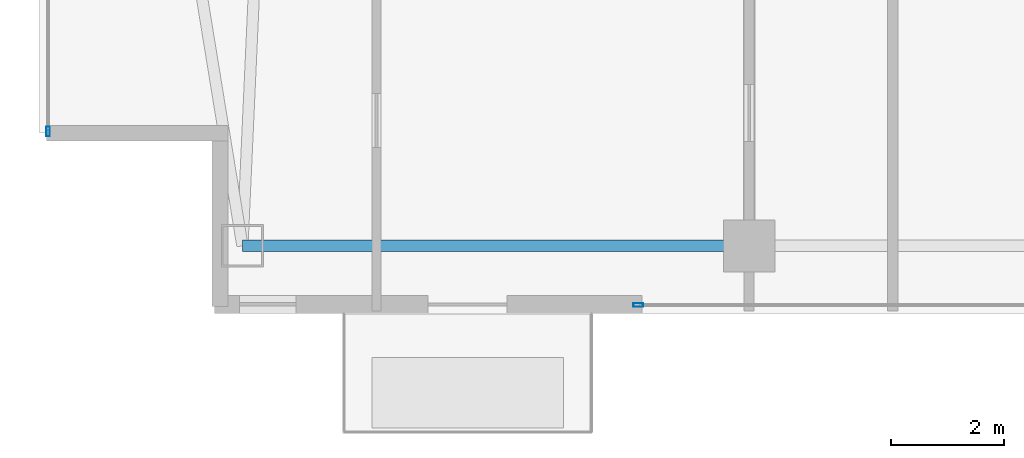
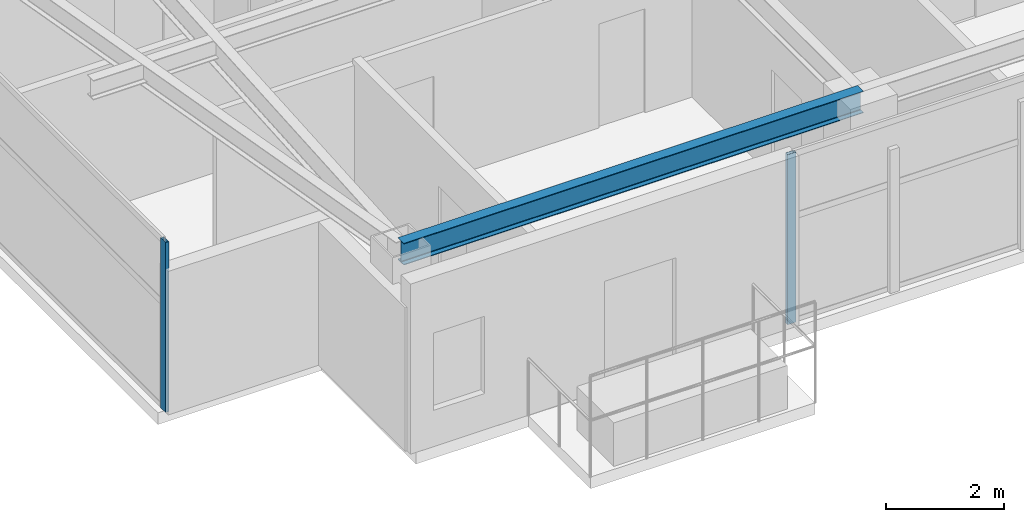
# One storey, part 2 of 27: 2 members, 1 beam, 2 elements without a shape of their own.
"""IFC4 building model written with IfcOpenShell, lengths in metres."""

from ifc_helpers import new_model, si_unit, direction, frame, origin, origin_2d, place, context, subcontext, project, spatial, hollow_rectangle, i_section, extrude, material, layer, layer_set, material_profile, profile_set, type_object, element, aggregate, save


model = new_model("IFC4")

# Units and contexts
model_context = context("Model", 3, precision=1e-05, world=origin(), true_north=direction((0.0, 1.0)))
body_context = subcontext(model_context, "Body", "Model", "MODEL_VIEW")
ifc_project = project(units=[si_unit("LENGTHUNIT", "METRE"), si_unit("AREAUNIT", "SQUARE_METRE"), si_unit("VOLUMEUNIT", "CUBIC_METRE"), si_unit("PLANEANGLEUNIT", "RADIAN"), si_unit("MASSUNIT", "GRAM", prefix="KILO")], contexts=[model_context])

# Site, building, storey
site_placement = place(None, origin())
site = spatial("IfcSite", under=ifc_project, at=site_placement, CompositionType="ELEMENT")
building_placement = place(site_placement, origin())
building = spatial("IfcBuilding", under=site, at=building_placement, Name="Calvorn Quay Hotel", CompositionType="ELEMENT")
storey_placement = place(building_placement, frame((0.0, 0.0, 278.699951171875)))
storey = spatial("IfcBuildingStorey", under=building, at=storey_placement, Name="L69", CompositionType="ELEMENT", Elevation=278.699951171875)

# Beam
ifc_material_1 = material(Name="Steel Q355B", Category="steel")
ifc_material_profile_1 = material_profile(ifc_material_1, i_section(OverallWidth=0.199951171875, OverallDepth=0.449951171875, WebThickness=0.009033203125, FlangeThickness=0.013916015625, FilletRadius=0.01611328125, at=origin_2d()), Name="HN450x200x9x14")
ifc_profile_set_1 = profile_set([ifc_material_profile_1], Name="Steel Q355B")
beam_type = type_object("IfcBeamType", Name="BM-SPANDREL-Z3", PredefinedType="SPANDREL", material=ifc_profile_set_1)
beam_placement = place(storey_placement, frame((3.60009765625, 3.60009765625, 3.295166015625), z_axis=(1.0, 0.0, 0.0), x_axis=(0.0, 1.0, 0.0)))
element("IfcBeam", 1, at=beam_placement, inside=storey, type_object=beam_type, Name="Beam BSP-L69-S1", PredefinedType="SPANDREL", context=body_context, shape_type="SweptSolid", body=[
    extrude(i_section(OverallWidth=0.199951171875, OverallDepth=0.449951171875, WebThickness=0.009033203125, FlangeThickness=0.013916015625, FilletRadius=0.01611328125, at=origin_2d()), origin(), (0.0, 0.0, 1.0), 9.0),
])

# Curtain wall, member
ifc_material_2 = material(Name="Champagne Bronze Anodised Aluminium and Low-E Glass", Category="aluminium")
ifc_layer = layer(ifc_material_2, 0.219970703125)
ifc_layer_set = layer_set([ifc_layer], Name="CW-SYS-Z4")
curtain_wall_type = type_object("IfcCurtainWallType", Name="CW-SYS-Z4", PredefinedType="NOTDEFINED", material=ifc_layer_set)
curtain_wall_1_placement = place(storey_placement, origin())
curtain_wall_1 = element("IfcCurtainWall", 2, at=curtain_wall_1_placement, inside=storey, type_object=curtain_wall_type, Name="Tower West Curtain Wall (L69)", PredefinedType="NOTDEFINED")
ifc_material_3 = material(Name="Champagne Bronze Anodised Aluminium 6063-T6", Category="aluminium")
ifc_material_profile_2 = material_profile(ifc_material_3, hollow_rectangle(XDim=0.06494140625, YDim=0.169921875, WallThickness=0.00341796875, at=origin_2d()), Name="ALU-M170x65x3.5")
ifc_profile_set_2 = profile_set([ifc_material_profile_2], Name="Champagne Bronze Anodised Aluminium 6063-T6")
member_type = type_object("IfcMemberType", Name="CW-SYS-Z4-MUL", PredefinedType="MULLION", material=ifc_profile_set_2)
member_1_placement = place(storey_placement, frame((0.14990234375, 5.6298828125, 0.0), z_axis=(0.0, 0.0, 1.0), x_axis=(-1.0, 0.0, 0.0)))
member_1 = element("IfcMember", 3, at=member_1_placement, type_object=member_type, Name="CW-L69-W mullion 1", PredefinedType="MULLION", context=body_context, shape_type="SweptSolid", body=[
    extrude(hollow_rectangle(XDim=0.06494140625, YDim=0.169921875, WallThickness=0.00341796875, at=origin_2d()), origin(), (0.0, 0.0, 1.0), 3.52001953125),
])
aggregate(curtain_wall_1, [member_1])

curtain_wall_2_placement = place(storey_placement, origin())
curtain_wall_2 = element("IfcCurtainWall", 4, at=curtain_wall_2_placement, inside=storey, type_object=curtain_wall_type, Name="Tower South Waterfront Curtain Wall (L69)", PredefinedType="NOTDEFINED")
member_2_placement = place(storey_placement, frame((10.6298828125, 2.550048828125, 0.0), z_axis=(0.0, 0.0, 1.0), x_axis=(0.0, 1.0, 0.0)))
member_2 = element("IfcMember", 5, at=member_2_placement, type_object=member_type, Name="CW-L69-S mullion 1", PredefinedType="MULLION", context=body_context, shape_type="SweptSolid", body=[
    extrude(hollow_rectangle(XDim=0.06494140625, YDim=0.169921875, WallThickness=0.00341796875, at=origin_2d()), origin(), (0.0, 0.0, 1.0), 3.52001953125),
])
aggregate(curtain_wall_2, [member_2])

save(model, "model.ifc")
